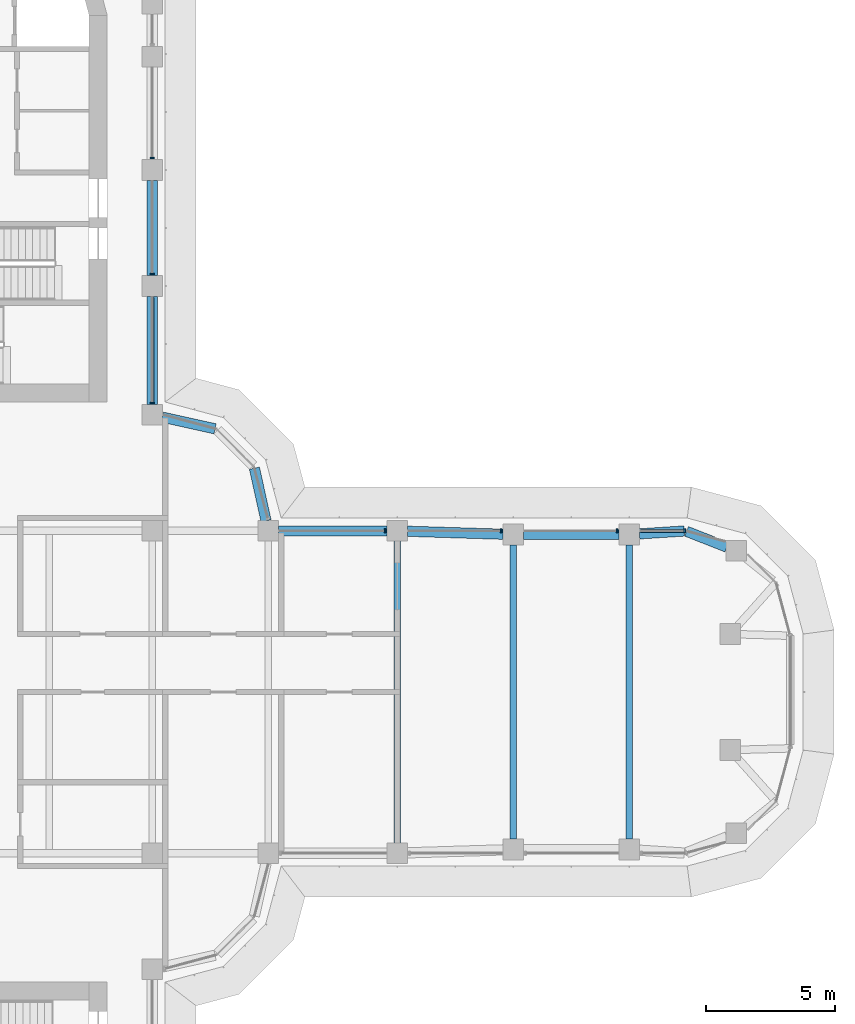
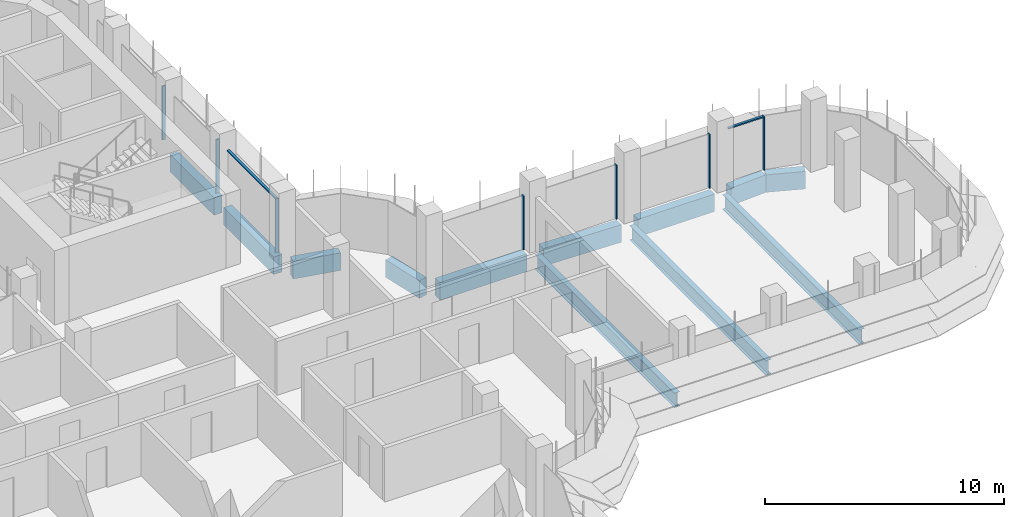
# One storey, part 8 of 20: 12 beams, 9 members, 2 elements without a shape of their own.
"""IFC4 building model written with IfcOpenShell, lengths in metres."""

import ifcopenshell
import ifcopenshell.guid

model = None  # the IFC model being written
_history = None  # IfcOwnerHistory: only IFC2X3 demands one
_inside = {}  # id of a spatial element -> (the spatial element, [elements in it])
_under = {}  # id of a project, library or spatial element -> (it, [spatial elements below it])
_declared = {}  # id of a project -> (the project, [libraries it declares])
_typed = {}  # id of a type object -> (the type object, [elements of that type])
_made_of = {}  # id of a material, layer set ... -> (it, [elements and type objects made of it])


def new_model(schema):
    """Start an empty IFC model of exactly this schema.

    Asked for "IFC4X3", IfcOpenShell would pick the latest addendum, in which some entities
    have other attributes; the version numbers below select the first issue.
    IFC2X3 requires an IfcOwnerHistory on every rooted entity: one is made here for all.
    """
    global model, _history
    if schema == "IFC4X3":
        model = ifcopenshell.file(schema_version=(4, 3, 0, 0))
    else:
        model = ifcopenshell.file(schema=schema)
    _inside.clear()
    _under.clear()
    _declared.clear()
    _typed.clear()
    _made_of.clear()
    _history = None
    if model.schema == "IFC2X3":
        org = make("IfcOrganization", Name="unknown")
        user = make(
            "IfcPersonAndOrganization",
            ThePerson=make("IfcPerson", FamilyName="unknown"),
            TheOrganization=org,
        )
        app = make(
            "IfcApplication",
            ApplicationDeveloper=org,
            Version="unknown",
            ApplicationFullName="unknown",
            ApplicationIdentifier="unknown",
        )
        _history = make(
            "IfcOwnerHistory",
            OwningUser=user,
            OwningApplication=app,
            ChangeAction="ADDED",
            CreationDate=0,
        )
    return model


def make(cls, **values):
    """One entity of the class cls with the attributes given. An attribute that is None is left unset."""
    return model.create_entity(
        cls, **{name: value for name, value in values.items() if value is not None}
    )


def rooted(cls, **values):
    """An entity with a GlobalId (a new one), such as an element, a storey or a relation."""
    return make(cls, GlobalId=ifcopenshell.guid.new(), OwnerHistory=_history, **values)


def si_unit(unit_type, name, prefix=None):
    """IfcSIUnit, for example si_unit("LENGTHUNIT", "METRE", prefix="MILLI")."""
    return make("IfcSIUnit", UnitType=unit_type, Prefix=prefix, Name=name)


def assignment(units):
    """IfcUnitAssignment: the units of a project."""
    return None if units is None else make("IfcUnitAssignment", Units=units)


def point(xyz):
    """IfcCartesianPoint."""
    return None if xyz is None else make("IfcCartesianPoint", Coordinates=xyz)


def direction(xyz):
    """IfcDirection."""
    return None if xyz is None else make("IfcDirection", DirectionRatios=xyz)


def frame(location, z_axis=None, x_axis=None):
    """IfcAxis2Placement3D, a coordinate frame: its origin and axes. An axis left out is left unset."""
    return make(
        "IfcAxis2Placement3D",
        Location=point(location),
        Axis=direction(z_axis),
        RefDirection=direction(x_axis),
    )


def frame_2d(location, x_axis=None):
    """IfcAxis2Placement2D, a coordinate frame in the plane: its origin and x axis."""
    return make(
        "IfcAxis2Placement2D", Location=point(location), RefDirection=direction(x_axis)
    )


def origin():
    """The frame at (0, 0, 0) with its axes left unset."""
    return frame((0.0, 0.0, 0.0))


def origin_2d():
    """The frame at (0, 0) in the plane with its x axis left unset."""
    return frame_2d((0.0, 0.0))


def place(relative_to, where):
    """IfcLocalPlacement: puts the frame where relative to a parent placement (None: the world)."""
    return make(
        "IfcLocalPlacement", PlacementRelTo=relative_to, RelativePlacement=where
    )


def context(
    kind, dimensions, precision=None, world=None, true_north=None, identifier=None
):
    """IfcGeometricRepresentationContext, for example the 3D "Model" context."""
    return make(
        "IfcGeometricRepresentationContext",
        ContextIdentifier=identifier,
        ContextType=kind,
        CoordinateSpaceDimension=dimensions,
        Precision=precision,
        WorldCoordinateSystem=world,
        TrueNorth=true_north,
    )


def subcontext(parent, identifier, kind, view, scale=None):
    """IfcGeometricRepresentationSubContext, for example "Body" below "Model"."""
    return make(
        "IfcGeometricRepresentationSubContext",
        ContextIdentifier=identifier,
        ContextType=kind,
        ParentContext=parent,
        TargetScale=scale,
        TargetView=view,
    )


def project(units=None, contexts=None):
    """IfcProject with its units and contexts."""
    return rooted(
        "IfcProject",
        Name="project",
        RepresentationContexts=contexts,
        UnitsInContext=assignment(units),
    )


def spatial(cls, under=None, at=None, **own):
    """A site, building, storey or space (cls), placed at a placement, below another one or the project."""
    s = rooted(cls, ObjectPlacement=at, **own)
    if under is not None:
        _under.setdefault(under.id(), (under, []))[1].append(s)
    return s


def polyline(points):
    """IfcPolyline through the points."""
    return make("IfcPolyline", Points=[point(p) for p in points])


def profile(cls, at=None, kind="AREA", **sizes):
    """A parametric profile (cls). Its sizes go by their IFC names, for example OverallWidth=200.0."""
    return make(cls, ProfileType=kind, Position=at, **sizes)


def rectangle(**sizes):
    """IfcRectangleProfileDef."""
    return profile("IfcRectangleProfileDef", **sizes)


def i_section(**sizes):
    """IfcIShapeProfileDef."""
    return profile("IfcIShapeProfileDef", **sizes)


def outline(outer, holes=None, kind="AREA"):
    """IfcArbitraryClosedProfileDef: a profile drawn as a closed curve; with holes, ...WithVoids."""
    if holes is None:
        return make("IfcArbitraryClosedProfileDef", ProfileType=kind, OuterCurve=outer)
    return make(
        "IfcArbitraryProfileDefWithVoids",
        ProfileType=kind,
        OuterCurve=outer,
        InnerCurves=holes,
    )


def extrude(swept, where, along, depth):
    """IfcExtrudedAreaSolid: the profile swept, set in the frame where, extruded along a direction by depth."""
    return make(
        "IfcExtrudedAreaSolid",
        SweptArea=swept,
        Position=where,
        ExtrudedDirection=direction(along),
        Depth=depth,
    )


def shape(context_of_items, identifier, shape_type, items):
    """IfcShapeRepresentation: the items that make up one representation, for example the "Body"."""
    return make(
        "IfcShapeRepresentation",
        ContextOfItems=context_of_items,
        RepresentationIdentifier=identifier,
        RepresentationType=shape_type,
        Items=items,
    )


def source(mapping_origin, context_of_items, identifier, shape_type, items):
    """IfcRepresentationMap: a shape defined once, which mapped items show again and again."""
    return make(
        "IfcRepresentationMap",
        MappingOrigin=mapping_origin,
        MappedRepresentation=shape(context_of_items, identifier, shape_type, items),
    )


def transform(
    local_origin,
    x_axis=None,
    y_axis=None,
    z_axis=None,
    scale=None,
    scale2=None,
    scale3=None,
    uniform=True,
):
    """IfcCartesianTransformationOperator3D, or its non-uniform kind. x_axis, y_axis, z_axis: its Axis1, 2, 3."""
    if uniform:
        return make(
            "IfcCartesianTransformationOperator3D",
            Axis1=direction(x_axis),
            Axis2=direction(y_axis),
            LocalOrigin=point(local_origin),
            Scale=scale,
            Axis3=direction(z_axis),
        )
    return make(
        "IfcCartesianTransformationOperator3DnonUniform",
        Axis1=direction(x_axis),
        Axis2=direction(y_axis),
        LocalOrigin=point(local_origin),
        Scale=scale,
        Axis3=direction(z_axis),
        Scale2=scale2,
        Scale3=scale3,
    )


def mapped(mapping_source, mapping_target):
    """IfcMappedItem: shows the shape of a source again, moved by a transform."""
    return make(
        "IfcMappedItem", MappingSource=mapping_source, MappingTarget=mapping_target
    )


def material(Name=None, Category=None):
    """IfcMaterial."""
    return make("IfcMaterial", Name=Name, Category=Category)


def material_profile(
    of_material, cross_section, Name=None, Category=None, Priority=None
):
    """IfcMaterialProfile: a cross section and its material."""
    return make(
        "IfcMaterialProfile",
        Name=Name,
        Material=of_material,
        Profile=cross_section,
        Priority=Priority,
        Category=Category,
    )


def profile_set(profiles, Name=None, composite=None):
    """IfcMaterialProfileSet."""
    return make(
        "IfcMaterialProfileSet",
        Name=Name,
        MaterialProfiles=profiles,
        CompositeProfile=composite,
    )


def made_of(thing, what):
    """Note that an element or type object is made of a material, layer set ...; save() writes the relation."""
    if what is not None:
        _made_of.setdefault(what.id(), (what, []))[1].append(thing)
    return thing


def type_object(cls, material=None, **own):
    """A type object (cls), such as IfcWallType, which elements share."""
    return made_of(rooted(cls, **own), material)


def element(
    cls,
    number,
    at=None,
    inside=None,
    cuts=None,
    type_object=None,
    material=None,
    context=None,
    identifier="Body",
    shape_type=None,
    held_by="IfcProductDefinitionShape",
    body=None,
    shapes=None,
    **own,
):
    """One element of the class cls, such as IfcWall. Its Tag is "e" and its number.

    at: its placement. inside: the storey or other place that contains it. cuts: it is an
    opening in that element (IfcRelVoidsElement). A single representation is given by context,
    identifier, shape_type and body (its items); several are given by shapes. held_by: the class
    of the entity that holds the representations. save() writes the other relations.
    """
    e = rooted(cls, Tag="e%d" % number, ObjectPlacement=at, **own)
    if body is not None:
        shapes = [shape(context, identifier, shape_type, body)]
    if shapes is not None:
        e.Representation = make(held_by, Representations=shapes)
    if inside is not None:
        _inside.setdefault(inside.id(), (inside, []))[1].append(e)
    if cuts is not None:
        rooted(
            "IfcRelVoidsElement", RelatingBuildingElement=cuts, RelatedOpeningElement=e
        )
    if type_object is not None:
        _typed.setdefault(type_object.id(), (type_object, []))[1].append(e)
    return made_of(e, material)


def aggregate(whole, parts):
    """IfcRelAggregates: a whole, such as a stair, and the parts it consists of."""
    return rooted("IfcRelAggregates", RelatingObject=whole, RelatedObjects=parts)


def save(model, path):
    """Write the relations noted so far, then the file.

    IfcRelAggregates (storeys below a building ...), IfcRelContainedInSpatialStructure (elements
    in a storey), IfcRelDefinesByType, IfcRelAssociatesMaterial and IfcRelDeclares: one each for
    every whole, place, type object, material and project.
    """
    for whole, parts in _under.values():
        aggregate(whole, parts)
    for where, things in _inside.values():
        rooted(
            "IfcRelContainedInSpatialStructure",
            RelatedElements=things,
            RelatingStructure=where,
        )
    for kind, things in _typed.values():
        rooted("IfcRelDefinesByType", RelatedObjects=things, RelatingType=kind)
    for what, things in _made_of.values():
        rooted("IfcRelAssociatesMaterial", RelatedObjects=things, RelatingMaterial=what)
    for by, libraries in _declared.values():
        rooted("IfcRelDeclares", RelatingContext=by, RelatedDefinitions=libraries)
    model.write(path)


model = new_model("IFC4")

# Units and contexts
model_context = context("Model", 3, precision=1e-05, world=origin(), true_north=direction((0.0, 1.0)))
body_context = subcontext(model_context, "Body", "Model", "MODEL_VIEW")
ifc_project = project(units=[si_unit("LENGTHUNIT", "METRE"), si_unit("AREAUNIT", "SQUARE_METRE"), si_unit("VOLUMEUNIT", "CUBIC_METRE"), si_unit("PLANEANGLEUNIT", "RADIAN"), si_unit("MASSUNIT", "GRAM", prefix="KILO")], contexts=[model_context])

# Site, building, storey
site_placement = place(None, origin())
site = spatial("IfcSite", under=ifc_project, at=site_placement, CompositionType="ELEMENT")
building_placement = place(site_placement, origin())
building = spatial("IfcBuilding", under=site, at=building_placement, Name="Zarbagh Exchange Tower", CompositionType="ELEMENT")
storey_placement = place(building_placement, frame((0.0, 0.0, 152.39990234375)))
storey = spatial("IfcBuildingStorey", under=building, at=storey_placement, Name="L36", CompositionType="ELEMENT", Elevation=152.39990234375)

# Beams
ifc_material_1 = material(Name="Steel ASTM A992 Gr 50", Category="steel")
ifc_material_profile_1 = material_profile(ifc_material_1, i_section(OverallWidth=0.26416015625, OverallDepth=0.749267578125, WebThickness=0.011962890625, FlangeThickness=0.015380859375, at=origin_2d()), Name="W30X90")
ifc_profile_set_1 = profile_set([ifc_material_profile_1], Name="Steel ASTM A992 Gr 50")
beam_type_1 = type_object("IfcBeamType", Name="Floor beam W30X90", PredefinedType="BEAM", material=ifc_profile_set_1)
beam_1_placement = place(storey_placement, frame((15.75, -5.85009765625, -0.5244140625), z_axis=(0.0, 1.0, 0.0), x_axis=(-1.0, 0.0, 0.0)))
element("IfcBeam", 1, at=beam_1_placement, inside=storey, type_object=beam_type_1, Name="Steel floor beam", PredefinedType="BEAM", context=body_context, shape_type="SweptSolid", body=[
    extrude(i_section(OverallWidth=0.26416015625, OverallDepth=0.749267578125, WebThickness=0.011962890625, FlangeThickness=0.015380859375, at=origin_2d()), origin(), (0.0, 0.0, 1.0), 11.7001953125),
])
for number, where, z_axis, x_axis, name in (
    (2, (20.25, -5.7099609375, -0.5244140625), (0.0, 1.0, 0.0), (-1.0, 0.0, 0.0), "Steel floor beam"),
    (3, (24.75, -5.7099609375, -0.5244140625), (0.0, 1.0, 0.0), (-1.0, 0.0, 0.0), "Steel floor beam"),
):
    element("IfcBeam", number, at=place(storey_placement, frame(where, z_axis=z_axis, x_axis=x_axis)), inside=storey, type_object=beam_type_1, Name=name, PredefinedType="BEAM", context=body_context, shape_type="SweptSolid", body=[
        extrude(i_section(OverallWidth=0.26416015625, OverallDepth=0.749267578125, WebThickness=0.011962890625, FlangeThickness=0.015380859375, at=origin_2d()), origin(), (0.0, 0.0, 1.0), 11.419921875),
    ])
ifc_material_2 = material(Name="Concrete C50/60", Category="concrete")
ifc_material_profile_2 = material_profile(ifc_material_2, rectangle(XDim=0.39990234375, YDim=0.89990234375, at=origin_2d()), Name="RC spandrel beam 400 x 900 C50/60")
ifc_profile_set_2 = profile_set([ifc_material_profile_2], Name="Concrete C50/60")
beam_type_2 = type_object("IfcBeamType", Name="RC spandrel beam 400 x 900 C50/60", PredefinedType="SPANDREL", material=ifc_profile_set_2)
beam_2_placement = place(storey_placement, frame((6.25, 19.85009765625, -0.599853515625), z_axis=(0.0, -1.0, 0.0), x_axis=(1.0, 0.0, 0.0)))
element("IfcBeam", 4, at=beam_2_placement, inside=storey, type_object=beam_type_2, Name="RC spandrel beam", PredefinedType="SPANDREL", context=body_context, shape_type="SweptSolid", body=[
    extrude(rectangle(XDim=0.39990234375, YDim=0.89990234375, at=origin_2d()), origin(), (0.0, 0.0, 1.0), 3.7001953125),
])
beam_3_placement = place(storey_placement, frame((6.25, 15.35009765625, -0.599853515625), z_axis=(0.0, -1.0, 0.0), x_axis=(1.0, 0.0, 0.0)))
element("IfcBeam", 5, at=beam_3_placement, inside=storey, type_object=beam_type_2, Name="RC spandrel beam", PredefinedType="SPANDREL", context=body_context, shape_type="SweptSolid", body=[
    extrude(rectangle(XDim=0.39990234375, YDim=0.89990234375, at=origin_2d()), origin(), (0.0, 0.0, 1.0), 4.2001953125),
])
for number, where, z_axis, x_axis, name in (
    (6, (6.640625, 10.66357421875, -0.599853515625), (0.976384278741, -0.216041061437, 0.0), (0.216041061437, 0.976384278741, 0.0), "RC spandrel beam"),
    (7, (10.21142578125, 8.68408203125, -0.599853515625), (0.216041061437, -0.976384278741, 0.0), (0.976384278741, 0.216041061437, 0.0), "RC spandrel beam"),
):
    element("IfcBeam", number, at=place(storey_placement, frame(where, z_axis=z_axis, x_axis=x_axis)), inside=storey, type_object=beam_type_2, Name=name, PredefinedType="SPANDREL", context=body_context, shape_type="SweptSolid", body=[
        extrude(rectangle(XDim=0.39990234375, YDim=0.89990234375, at=origin_2d()), origin(), (0.0, 0.0, 1.0), 2.0927734375),
    ])
beam_4_placement = place(storey_placement, frame((11.14990234375, 6.25, -0.599853515625), z_axis=(1.0, 0.0, 0.0), x_axis=(0.0, 1.0, 0.0)))
element("IfcBeam", 8, at=beam_4_placement, inside=storey, type_object=beam_type_2, Name="RC spandrel beam", PredefinedType="SPANDREL", context=body_context, shape_type="SweptSolid", body=[
    extrude(rectangle(XDim=0.39990234375, YDim=0.89990234375, at=origin_2d()), origin(), (0.0, 0.0, 1.0), 4.2001953125),
])
beam_5_placement = place(storey_placement, frame((16.14990234375, 6.237548828125, -0.599853515625), z_axis=(0.999515416033, -0.031127690444, 0.0), x_axis=(0.031127690444, 0.999515416033, 0.0)))
element("IfcBeam", 9, at=beam_5_placement, inside=storey, type_object=beam_type_2, Name="RC spandrel beam", PredefinedType="SPANDREL", context=body_context, shape_type="SweptSolid", body=[
    extrude(rectangle(XDim=0.39990234375, YDim=0.89990234375, at=origin_2d()), origin(), (0.0, 0.0, 1.0), 3.701904296875),
])
beam_6_placement = place(storey_placement, frame((20.64990234375, 6.110107421875, -0.599853515625), z_axis=(1.0, 0.0, 0.0), x_axis=(0.0, 1.0, 0.0)))
element("IfcBeam", 10, at=beam_6_placement, inside=storey, type_object=beam_type_2, Name="RC spandrel beam", PredefinedType="SPANDREL", context=body_context, shape_type="SweptSolid", body=[
    extrude(rectangle(XDim=0.39990234375, YDim=0.89990234375, at=origin_2d()), origin(), (0.0, 0.0, 1.0), 3.7001953125),
])
beam_7_placement = place(storey_placement, frame((25.149169921875, 6.135498046875, -0.599853515625), z_axis=(0.997942679773, 0.064112462805, 0.0), x_axis=(-0.064112462805, 0.997942679773, 0.0)))
element("IfcBeam", 11, at=beam_7_placement, inside=storey, type_object=beam_type_2, Name="RC spandrel beam", PredefinedType="SPANDREL", context=body_context, shape_type="SweptSolid", body=[
    extrude(rectangle(XDim=0.39990234375, YDim=0.89990234375, at=origin_2d()), origin(), (0.0, 0.0, 1.0), 1.744140625),
])
beam_8_placement = place(storey_placement, frame((26.9755859375, 6.233642578125, -0.599853515625), z_axis=(0.930818758612, -0.36548110569, 0.0), x_axis=(0.36548110569, 0.930818758612, 0.0)))
element("IfcBeam", 12, at=beam_8_placement, inside=storey, type_object=beam_type_2, Name="RC spandrel beam", PredefinedType="SPANDREL", context=body_context, shape_type="SweptSolid", body=[
    extrude(rectangle(XDim=0.39990234375, YDim=0.89990234375, at=origin_2d()), origin(), (0.0, 0.0, 1.0), 1.676025390625),
])

# Curtain wall, members
ifc_material_3 = material(Name="Anodised aluminium frame and glazing", Category="aluminium")
curtain_wall_type = type_object("IfcCurtainWallType", Name="CWB Ribbon glazing, upper zones", PredefinedType="NOTDEFINED", material=ifc_material_3)
curtain_wall_1_placement = place(storey_placement, origin())
curtain_wall_1 = element("IfcCurtainWall", 13, at=curtain_wall_1_placement, inside=storey, type_object=curtain_wall_type, Name="CWB16 curtain wall", PredefinedType="NOTDEFINED")
ifc_material_4 = material(Name="Anodised aluminium frame", Category="aluminium")
member_type_1 = type_object("IfcMemberType", Name="TRB Transom, anodised aluminium frame", PredefinedType="USERDEFINED", material=ifc_material_4)
shared_shape_1 = source(origin(), body_context, "Body", "SweptSolid", [
    extrude(outline(polyline([(-0.06005859375, -0.06005859375), (0.0, -0.06005859375), (0.0, 0.06005859375), (-0.06005859375, 0.06005859375), (-0.06005859375, -0.06005859375)])), origin(), (0.0, 0.0, 1.0), 1.68408203125),
])
placement = place(storey_placement, origin())
member_1 = element("IfcMember", 14, at=placement, type_object=member_type_1, Name="CWB16 transom 1.1", ObjectType="TRANSOM", PredefinedType="USERDEFINED", context=body_context, shape_type="MappedRepresentation", body=[
    mapped(shared_shape_1, transform((26.874267578125, 6.25, 2.75), x_axis=(0.0, 0.0, 1.0), y_axis=(0.0, 1.0, 0.0), z_axis=(-1.0, 0.0, 0.0))),
])
member_type_2 = type_object("IfcMemberType", Name="MUB Mullion, anodised aluminium frame", PredefinedType="MULLION", material=ifc_material_4)
shared_shape_2 = source(origin(), body_context, "Body", "SweptSolid", [
    extrude(outline(polyline([(0.0, -0.080078125), (0.06005859375, -0.080078125), (0.06005859375, 0.080078125), (0.0, 0.080078125), (0.0, -0.080078125)])), origin(), (0.0, 0.0, 1.0), 2.75),
])
member_2 = element("IfcMember", 15, at=placement, type_object=member_type_2, Name="CWB16 mullion 1.1", PredefinedType="MULLION", context=body_context, shape_type="MappedRepresentation", body=[
    mapped(shared_shape_2, transform((26.93408203125, 6.25, 0.0), x_axis=(-1.0, 0.0, 0.0), y_axis=(0.0, -1.0, 0.0), z_axis=(0.0, 0.0, 1.0))),
])
member_3 = element("IfcMember", 16, at=placement, type_object=member_type_2, Name="CWB16 mullion 2.1", PredefinedType="MULLION", context=body_context, shape_type="MappedRepresentation", body=[
    mapped(shared_shape_2, transform((24.31005859375, 6.25, 0.0), x_axis=(-1.0, 0.0, 0.0), y_axis=(0.0, -1.0, 0.0), z_axis=(0.0, 0.0, 1.0))),
])
member_4 = element("IfcMember", 17, at=placement, type_object=member_type_2, Name="CWB16 mullion 3.1", PredefinedType="MULLION", context=body_context, shape_type="MappedRepresentation", body=[
    mapped(shared_shape_2, transform((19.81005859375, 6.25, 0.0), x_axis=(-1.0, 0.0, 0.0), y_axis=(0.0, -1.0, 0.0), z_axis=(0.0, 0.0, 1.0))),
])
member_5 = element("IfcMember", 18, at=placement, type_object=member_type_2, Name="CWB16 mullion 4.1", PredefinedType="MULLION", context=body_context, shape_type="MappedRepresentation", body=[
    mapped(shared_shape_2, transform((15.31005859375, 6.25, 0.0), x_axis=(-1.0, 0.0, 0.0), y_axis=(0.0, -1.0, 0.0), z_axis=(0.0, 0.0, 1.0))),
])
aggregate(curtain_wall_1, [member_2, member_1, member_3, member_4, member_5])

curtain_wall_2_placement = place(storey_placement, origin())
curtain_wall_2 = element("IfcCurtainWall", 19, at=curtain_wall_2_placement, inside=storey, type_object=curtain_wall_type, Name="CWB20 curtain wall", PredefinedType="NOTDEFINED")
member_6 = element("IfcMember", 20, at=placement, type_object=member_type_2, Name="CWB20 mullion 1.1", PredefinedType="MULLION", context=body_context, shape_type="MappedRepresentation", body=[
    mapped(shared_shape_2, transform((6.25, 11.18994140625, 0.0), x_axis=(0.0, 1.0, 0.0), y_axis=(-1.0, 0.0, 0.0), z_axis=(0.0, 0.0, 1.0))),
])
member_7 = element("IfcMember", 21, at=placement, type_object=member_type_2, Name="CWB20 mullion 2.1", PredefinedType="MULLION", context=body_context, shape_type="MappedRepresentation", body=[
    mapped(shared_shape_2, transform((6.25, 16.18994140625, 0.0), x_axis=(0.0, 1.0, 0.0), y_axis=(-1.0, 0.0, 0.0), z_axis=(0.0, 0.0, 1.0))),
])
member_8 = element("IfcMember", 22, at=placement, type_object=member_type_2, Name="CWB20 mullion 3.1", PredefinedType="MULLION", context=body_context, shape_type="MappedRepresentation", body=[
    mapped(shared_shape_2, transform((6.25, 20.68994140625, 0.0), x_axis=(0.0, 1.0, 0.0), y_axis=(-1.0, 0.0, 0.0), z_axis=(0.0, 0.0, 1.0))),
])
shared_shape_3 = source(origin(), body_context, "Body", "SweptSolid", [
    extrude(outline(polyline([(-0.06005859375, -0.06005859375), (0.0, -0.06005859375), (0.0, 0.06005859375), (-0.06005859375, 0.06005859375), (-0.06005859375, -0.06005859375)])), origin(), (0.0, 0.0, 1.0), 4.06005859375),
])
member_9 = element("IfcMember", 23, at=placement, type_object=member_type_1, Name="CWB20 transom 1.1", ObjectType="TRANSOM", PredefinedType="USERDEFINED", context=body_context, shape_type="MappedRepresentation", body=[
    mapped(shared_shape_3, transform((6.25, 11.25, 2.75), x_axis=(0.0, 0.0, 1.0), y_axis=(1.0, 0.0, 0.0), z_axis=(0.0, 1.0, 0.0))),
])
aggregate(curtain_wall_2, [member_6, member_9, member_7, member_8])

save(model, "model.ifc")
